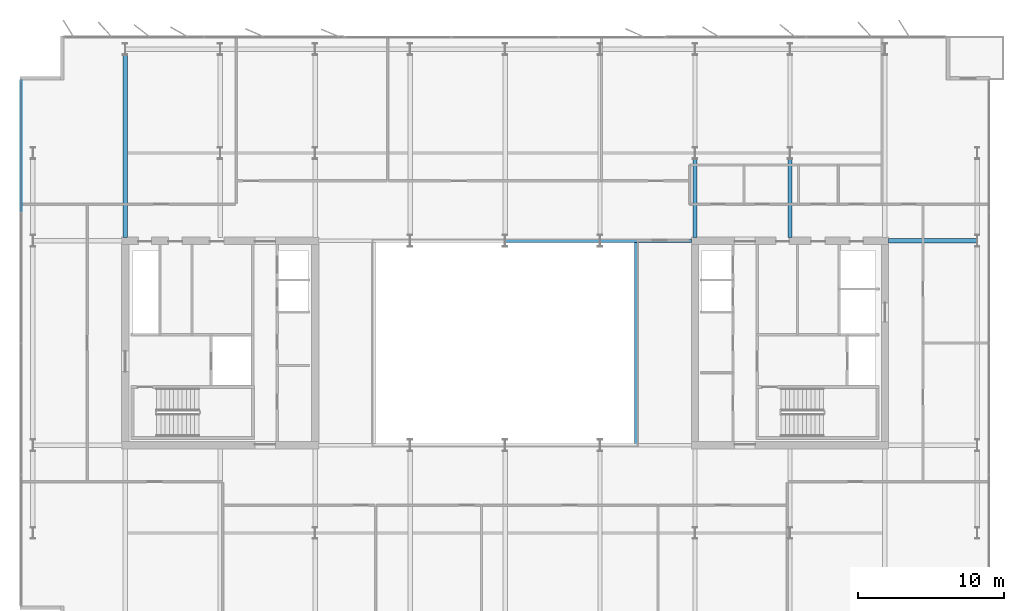
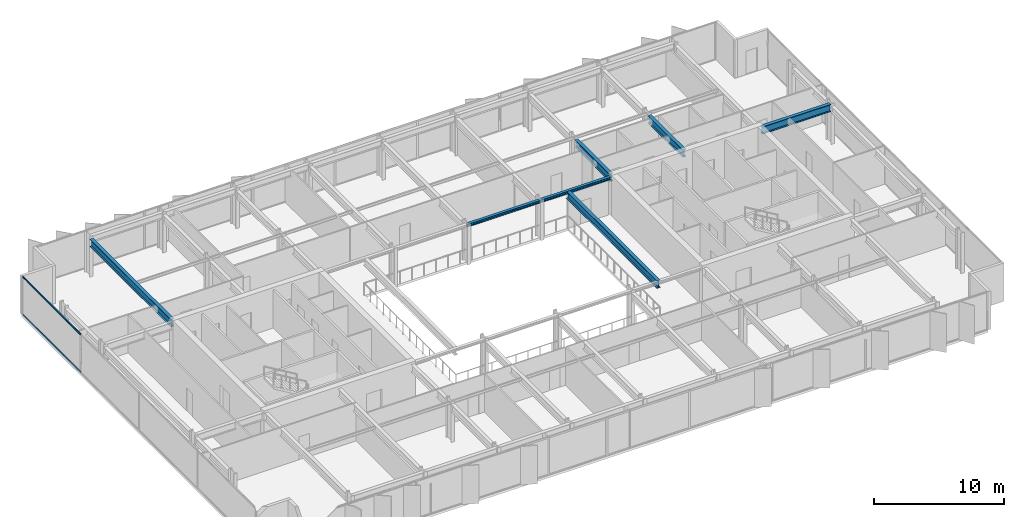
# One storey, part 9 of 23: 7 beams, 2 members, 1 element without a shape of its own.
"""IFC4 building model written with IfcOpenShell, lengths in metres."""

from ifc_helpers import new_model, si_unit, direction, frame, origin, origin_2d, place, context, subcontext, project, spatial, rectangle, i_section, extrude, material, layer, layer_set, material_profile, profile_set, type_object, element, aggregate, save


model = new_model("IFC4")

# Units and contexts
model_context = context("Model", 3, precision=1e-05, world=origin(), true_north=direction((0.0, 1.0)))
body_context = subcontext(model_context, "Body", "Model", "MODEL_VIEW")
ifc_project = project(units=[si_unit("LENGTHUNIT", "METRE"), si_unit("AREAUNIT", "SQUARE_METRE"), si_unit("VOLUMEUNIT", "CUBIC_METRE"), si_unit("PLANEANGLEUNIT", "RADIAN"), si_unit("MASSUNIT", "GRAM", prefix="KILO")], contexts=[model_context])

# Site, building, storey
site_placement = place(None, origin())
site = spatial("IfcSite", under=ifc_project, at=site_placement, CompositionType="ELEMENT")
building_placement = place(site_placement, origin())
building = spatial("IfcBuilding", under=site, at=building_placement, Name="Putna Gate Headquarters", CompositionType="ELEMENT")
storey_placement = place(building_placement, frame((0.0, 0.0, 206.199951171875)))
storey = spatial("IfcBuildingStorey", under=building, at=storey_placement, Name="L51", CompositionType="ELEMENT", Elevation=206.199951171875)

# Beams
ifc_material_1 = material(Name="Steel S355J2", Category="steel")
ifc_material_profile_1 = material_profile(ifc_material_1, i_section(OverallWidth=0.260009765625, OverallDepth=0.260009765625, WebThickness=0.010009765625, FlangeThickness=0.017578125, at=origin_2d()), Name="Steel S355J2")
ifc_profile_set_1 = profile_set([ifc_material_profile_1], Name="Steel S355J2")
beam_type_1 = type_object("IfcBeamType", Name="BM-ATRIUM-HEB260", PredefinedType="BEAM", material=ifc_profile_set_1)
beam_1_placement = place(storey_placement, frame((39.006103515625, 33.0, 3.449951171875), z_axis=(1.0, 0.0, 0.0), x_axis=(0.0, 1.0, 0.0)))
element("IfcBeam", 1, at=beam_1_placement, inside=storey, type_object=beam_type_1, Name="L51 Atrium Edge Beam AN3", PredefinedType="BEAM", context=body_context, shape_type="SweptSolid", body=[
    extrude(i_section(OverallWidth=0.260009765625, OverallDepth=0.260009765625, WebThickness=0.010009765625, FlangeThickness=0.017578125, at=origin_2d()), origin(), (0.0, 0.0, 1.0), 6.48779296875),
])
beam_2_placement = place(storey_placement, frame((45.506103515625, 33.0, 3.449951171875), z_axis=(1.0, 0.0, 0.0), x_axis=(0.0, 1.0, 0.0)))
element("IfcBeam", 2, at=beam_2_placement, inside=storey, type_object=beam_type_1, Name="L51 Atrium Edge Beam AN4", PredefinedType="BEAM", context=body_context, shape_type="SweptSolid", body=[
    extrude(i_section(OverallWidth=0.260009765625, OverallDepth=0.260009765625, WebThickness=0.010009765625, FlangeThickness=0.017578125, at=origin_2d()), origin(), (0.0, 0.0, 1.0), 6.2587890625),
])
ifc_material_profile_2 = material_profile(ifc_material_1, i_section(OverallWidth=0.300048828125, OverallDepth=0.699951171875, WebThickness=0.01708984375, FlangeThickness=0.031982421875, at=origin_2d()), Name="Steel S355J2")
ifc_profile_set_2 = profile_set([ifc_material_profile_2], Name="Steel S355J2")
beam_type_2 = type_object("IfcBeamType", Name="BM-GIRD-B-HEB700", PredefinedType="USERDEFINED", material=ifc_profile_set_2)
beam_3_placement = place(storey_placement, frame((65.235107421875, 33.0, 3.22998046875), z_axis=(1.0, 0.0, 0.0), x_axis=(0.0, 1.0, 0.0)))
element("IfcBeam", 3, at=beam_3_placement, inside=storey, type_object=beam_type_2, Name="L51 East Wing Girder Y33", ObjectType="GIRDER", PredefinedType="USERDEFINED", context=body_context, shape_type="SweptSolid", body=[
    extrude(i_section(OverallWidth=0.300048828125, OverallDepth=0.699951171875, WebThickness=0.01708984375, FlangeThickness=0.031982421875, at=origin_2d()), origin(), (0.0, 0.0, 1.0), 6.078857421875),
])
beam_4_placement = place(storey_placement, frame((13.0, 33.235107421875, 3.22998046875), z_axis=(0.0, 1.0, 0.0), x_axis=(-1.0, 0.0, 0.0)))
element("IfcBeam", 4, at=beam_4_placement, inside=storey, type_object=beam_type_2, Name="L51 North Primary Girder X13", ObjectType="GIRDER", PredefinedType="USERDEFINED", context=body_context, shape_type="SweptSolid", body=[
    extrude(i_section(OverallWidth=0.300048828125, OverallDepth=0.699951171875, WebThickness=0.01708984375, FlangeThickness=0.031982421875, at=origin_2d()), origin(), (0.0, 0.0, 1.0), 12.489990234375),
])
for number, where, z_axis, x_axis, name in (
    (5, (52.0, 33.235107421875, 3.22998046875), (0.0, 1.0, 0.0), (-1.0, 0.0, 0.0), "L51 North Primary Girder X52-1"),
    (6, (58.5, 33.235107421875, 3.22998046875), (0.0, 1.0, 0.0), (-1.0, 0.0, 0.0), "L51 North Primary Girder X58-1"),
):
    element("IfcBeam", number, at=place(storey_placement, frame(where, z_axis=z_axis, x_axis=x_axis)), inside=storey, type_object=beam_type_2, Name=name, ObjectType="GIRDER", PredefinedType="USERDEFINED", context=body_context, shape_type="SweptSolid", body=[
        extrude(i_section(OverallWidth=0.300048828125, OverallDepth=0.699951171875, WebThickness=0.01708984375, FlangeThickness=0.031982421875, at=origin_2d()), origin(), (0.0, 0.0, 1.0), 5.369873046875),
    ])
beam_5_placement = place(storey_placement, frame((48.0, 19.010009765625, 3.22998046875), z_axis=(0.0, 1.0, 0.0), x_axis=(-1.0, 0.0, 0.0)))
element("IfcBeam", 7, at=beam_5_placement, inside=storey, type_object=beam_type_2, Name="L51 Atrium Trim Girder AE", ObjectType="GIRDER", PredefinedType="USERDEFINED", context=body_context, shape_type="SweptSolid", body=[
    extrude(i_section(OverallWidth=0.300048828125, OverallDepth=0.699951171875, WebThickness=0.01708984375, FlangeThickness=0.031982421875, at=origin_2d()), origin(), (0.0, 0.0, 1.0), 13.97998046875),
])

# Curtain wall, members
ifc_material_2 = material(Name="Anodised bronze aluminium curtain wall", Category="aluminium")
ifc_layer = layer(ifc_material_2, 0.139892578125)
ifc_layer_set = layer_set([ifc_layer], Name="Anodised bronze aluminium curtain wall")
curtain_wall_type = type_object("IfcCurtainWallType", Name="CW-SYS-Z4", PredefinedType="USERDEFINED", material=ifc_layer_set)
curtain_wall_placement = place(storey_placement, origin())
curtain_wall = element("IfcCurtainWall", 8, at=curtain_wall_placement, inside=storey, type_object=curtain_wall_type, Name="L51 West Curtain Wall", ObjectType="STICK CURTAIN WALL", PredefinedType="USERDEFINED")
ifc_material_3 = material(Name="Anodised bronze aluminium EN AW-6060", Category="aluminium")
ifc_material_profile_3 = material_profile(ifc_material_3, rectangle(XDim=0.06005859375, YDim=0.10009765625, at=origin_2d()), Name="Anodised bronze aluminium EN AW-6060")
ifc_profile_set_3 = profile_set([ifc_material_profile_3], Name="Anodised bronze aluminium EN AW-6060")
member_type = type_object("IfcMemberType", Name="TRAN-CWT-4", PredefinedType="USERDEFINED", material=ifc_profile_set_3)
member_1_placement = place(storey_placement, frame((5.8798828125, 35.030029296875, 0.030029296875), z_axis=(0.0, 1.0, 0.0), x_axis=(-1.0, 0.0, 0.0)))
member_1 = element("IfcMember", 9, at=member_1_placement, type_object=member_type, Name="CWS-4 transom 4.1", ObjectType="TRANSOM", PredefinedType="USERDEFINED", context=body_context, shape_type="SweptSolid", body=[
    extrude(rectangle(XDim=0.06005859375, YDim=0.10009765625, at=origin_2d()), origin(), (0.0, 0.0, 1.0), 8.909912109375),
])
member_2_placement = place(storey_placement, frame((5.8798828125, 35.030029296875, 3.550048828125), z_axis=(0.0, 1.0, 0.0), x_axis=(-1.0, 0.0, 0.0)))
member_2 = element("IfcMember", 10, at=member_2_placement, type_object=member_type, Name="CWS-4 transom 4.2", ObjectType="TRANSOM", PredefinedType="USERDEFINED", context=body_context, shape_type="SweptSolid", body=[
    extrude(rectangle(XDim=0.06005859375, YDim=0.10009765625, at=origin_2d()), origin(), (0.0, 0.0, 1.0), 8.909912109375),
])
aggregate(curtain_wall, [member_1, member_2])

save(model, "model.ifc")
